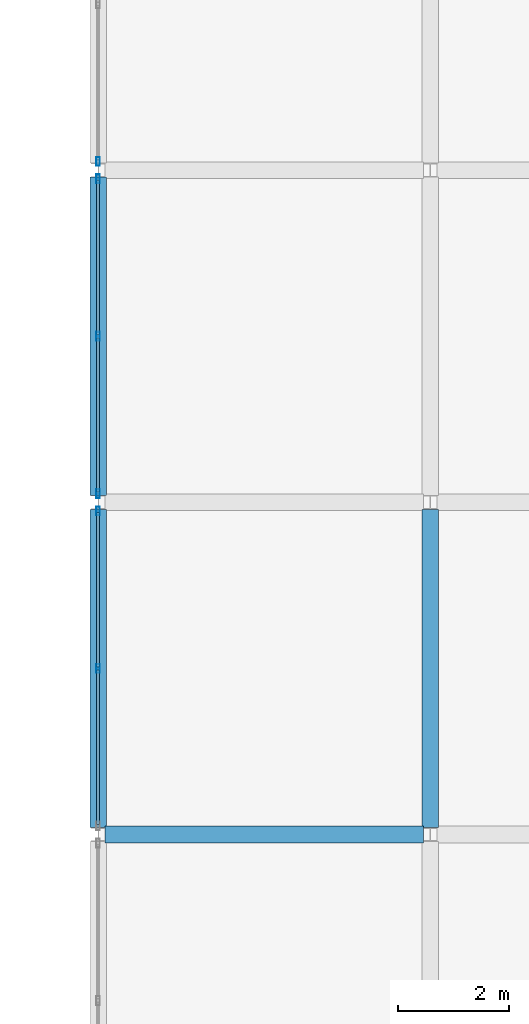
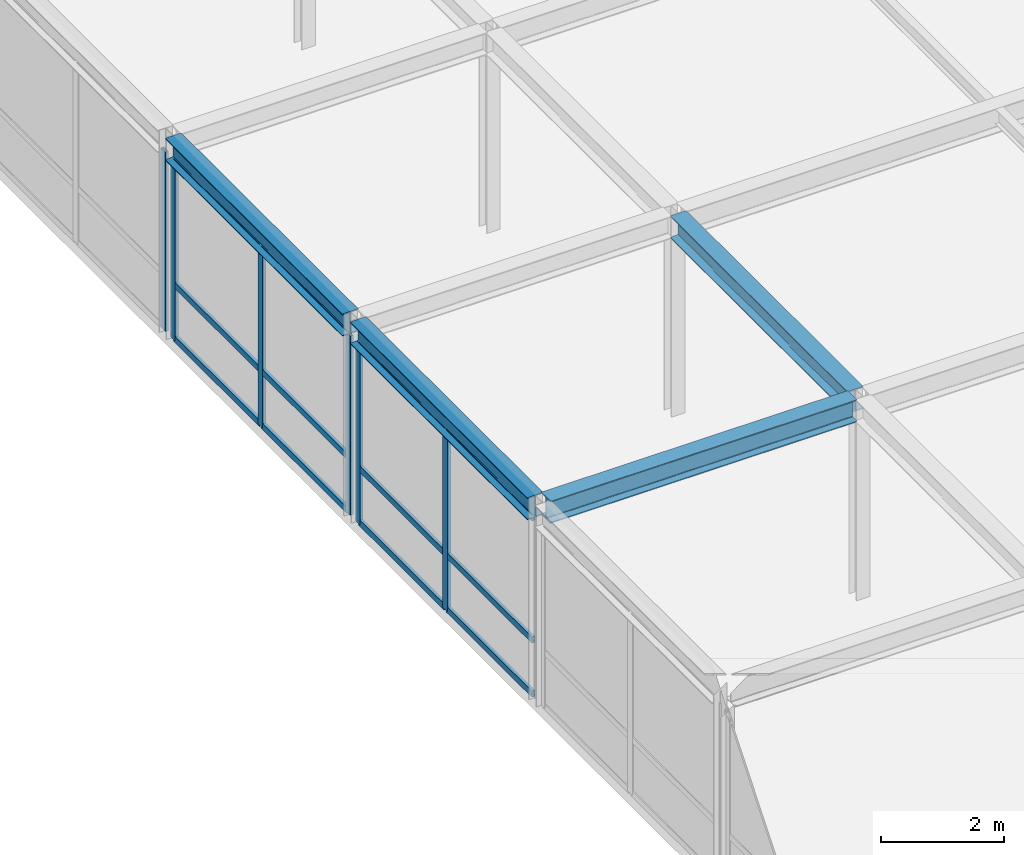
# One storey, part 88 of 111: 18 members, 4 beams, 3 elements without a shape of their own.
"""IFC4 building model written with IfcOpenShell, lengths in metres."""

from ifc_helpers import new_model, si_unit, direction, frame, origin, origin_2d, place, context, subcontext, project, spatial, hollow_rectangle, i_section, extrude, material, layer, layer_set, material_profile, profile_set, type_object, element, aggregate, save


model = new_model("IFC4")

# Units and contexts
model_context = context("Model", 3, precision=1e-05, world=origin(), true_north=direction((0.0, 1.0)))
body_context = subcontext(model_context, "Body", "Model", "MODEL_VIEW")
ifc_project = project(units=[si_unit("LENGTHUNIT", "METRE"), si_unit("AREAUNIT", "SQUARE_METRE"), si_unit("VOLUMEUNIT", "CUBIC_METRE"), si_unit("PLANEANGLEUNIT", "RADIAN"), si_unit("MASSUNIT", "GRAM", prefix="KILO")], contexts=[model_context])

# Site, building, storey
site_placement = place(None, origin())
site = spatial("IfcSite", under=ifc_project, at=site_placement, CompositionType="ELEMENT")
building_placement = place(site_placement, origin())
building = spatial("IfcBuilding", under=site, at=building_placement, Name="Zlatovratsky Civic Hall", CompositionType="ELEMENT")
storey_placement = place(building_placement, frame((0.0, 0.0, 16.5)))
storey = spatial("IfcBuildingStorey", under=building, at=storey_placement, Name="L04", CompositionType="ELEMENT", Elevation=16.5)

# Beams
ifc_material_1 = material(Name="Steel S355", Category="steel")
ifc_material_profile_1 = material_profile(ifc_material_1, i_section(OverallWidth=0.300048828125, OverallDepth=0.43994140625, WebThickness=0.010986328125, FlangeThickness=0.01806640625, FilletRadius=0.02197265625, at=origin_2d()), Name="45Sh1")
ifc_profile_set_1 = profile_set([ifc_material_profile_1], Name="Steel S355")
beam_type = type_object("IfcBeamType", Name="Beam_TowerLow_45Sh1", PredefinedType="BEAM", material=ifc_profile_set_1)
for number, where, z_axis, x_axis, name in (
    (1, (150.125, 42.0, 3.780029296875), (1.0, 0.0, 0.0), (0.0, 1.0, 0.0), "BM-3298"),
    (2, (150.0, 42.125, 3.780029296875), (0.0, 1.0, 0.0), (-1.0, 0.0, 0.0), "BM-3783"),
    (3, (150.0, 48.125, 3.780029296875), (0.0, 1.0, 0.0), (-1.0, 0.0, 0.0), "BM-3784"),
    (4, (156.0, 42.125, 3.780029296875), (0.0, 1.0, 0.0), (-1.0, 0.0, 0.0), "BM-3800"),
):
    element("IfcBeam", number, at=place(storey_placement, frame(where, z_axis=z_axis, x_axis=x_axis)), inside=storey, type_object=beam_type, Name=name, PredefinedType="BEAM", context=body_context, shape_type="SweptSolid", body=[
        extrude(i_section(OverallWidth=0.300048828125, OverallDepth=0.43994140625, WebThickness=0.010986328125, FlangeThickness=0.01806640625, FilletRadius=0.02197265625, at=origin_2d()), origin(), (0.0, 0.0, 1.0), 5.75),
    ])

# Curtain wall, members
ifc_material_2 = material(Name="Anodised bronze aluminium", Category="aluminium")
ifc_layer = layer(ifc_material_2, 0.159912109375)
ifc_layer_set = layer_set([ifc_layer], Name="Anodised bronze aluminium")
curtain_wall_type = type_object("IfcCurtainWallType", Name="CurtainWall_Bronze_5750x3550_18", PredefinedType="NOTDEFINED", material=ifc_layer_set)
curtain_wall_1_placement = place(storey_placement, origin())
curtain_wall_1 = element("IfcCurtainWall", 5, at=curtain_wall_1_placement, inside=storey, type_object=curtain_wall_type, Name="CW-125", PredefinedType="NOTDEFINED")
ifc_material_profile_2 = material_profile(ifc_material_2, hollow_rectangle(XDim=0.06005859375, YDim=0.159912109375, WallThickness=0.00390625, at=origin_2d()), Name="ALU 60x160x4")
ifc_profile_set_2 = profile_set([ifc_material_profile_2], Name="Anodised bronze aluminium")
member_type_1 = type_object("IfcMemberType", Name="CW_Mullion_60x160", PredefinedType="MULLION", material=ifc_profile_set_2)
member_1_placement = place(storey_placement, frame((150.0, 45.0, 0.0), z_axis=(0.0, 0.0, 1.0), x_axis=(-1.0, 0.0, 0.0)))
member_1 = element("IfcMember", 6, at=member_1_placement, type_object=member_type_1, Name="CW-18 mullion 2", PredefinedType="MULLION", context=body_context, shape_type="SweptSolid", body=[
    extrude(hollow_rectangle(XDim=0.06005859375, YDim=0.159912109375, WallThickness=0.00390625, at=origin_2d()), origin(), (0.0, 0.0, 1.0), 3.550048828125),
])
member_2_placement = place(storey_placement, frame((150.0, 47.844970703125, 0.0), z_axis=(0.0, 0.0, 1.0), x_axis=(-1.0, 0.0, 0.0)))
member_2 = element("IfcMember", 7, at=member_2_placement, type_object=member_type_1, Name="CW-18 mullion 3", PredefinedType="MULLION", context=body_context, shape_type="SweptSolid", body=[
    extrude(hollow_rectangle(XDim=0.06005859375, YDim=0.159912109375, WallThickness=0.00390625, at=origin_2d()), origin(), (0.0, 0.0, 1.0), 3.550048828125),
])

curtain_wall_2_placement = place(storey_placement, origin())
curtain_wall_2 = element("IfcCurtainWall", 8, at=curtain_wall_2_placement, inside=storey, type_object=curtain_wall_type, Name="CW-126", PredefinedType="NOTDEFINED")
member_3_placement = place(storey_placement, frame((150.0, 48.155029296875, 0.0), z_axis=(0.0, 0.0, 1.0), x_axis=(-1.0, 0.0, 0.0)))
member_3 = element("IfcMember", 9, at=member_3_placement, type_object=member_type_1, Name="CW-18 mullion 1", PredefinedType="MULLION", context=body_context, shape_type="SweptSolid", body=[
    extrude(hollow_rectangle(XDim=0.06005859375, YDim=0.159912109375, WallThickness=0.00390625, at=origin_2d()), origin(), (0.0, 0.0, 1.0), 3.550048828125),
])
member_4_placement = place(storey_placement, frame((150.0, 51.0, 0.0), z_axis=(0.0, 0.0, 1.0), x_axis=(-1.0, 0.0, 0.0)))
member_4 = element("IfcMember", 10, at=member_4_placement, type_object=member_type_1, Name="CW-18 mullion 2", PredefinedType="MULLION", context=body_context, shape_type="SweptSolid", body=[
    extrude(hollow_rectangle(XDim=0.06005859375, YDim=0.159912109375, WallThickness=0.00390625, at=origin_2d()), origin(), (0.0, 0.0, 1.0), 3.550048828125),
])
member_5_placement = place(storey_placement, frame((150.0, 53.844970703125, 0.0), z_axis=(0.0, 0.0, 1.0), x_axis=(-1.0, 0.0, 0.0)))
member_5 = element("IfcMember", 11, at=member_5_placement, type_object=member_type_1, Name="CW-18 mullion 3", PredefinedType="MULLION", context=body_context, shape_type="SweptSolid", body=[
    extrude(hollow_rectangle(XDim=0.06005859375, YDim=0.159912109375, WallThickness=0.00390625, at=origin_2d()), origin(), (0.0, 0.0, 1.0), 3.550048828125),
])

# Curtain wall, member
curtain_wall_3_placement = place(storey_placement, origin())
curtain_wall_3 = element("IfcCurtainWall", 12, at=curtain_wall_3_placement, inside=storey, type_object=curtain_wall_type, Name="CW-127", PredefinedType="NOTDEFINED")
member_6_placement = place(storey_placement, frame((150.0, 54.155029296875, 0.0), z_axis=(0.0, 0.0, 1.0), x_axis=(-1.0, 0.0, 0.0)))
member_6 = element("IfcMember", 13, at=member_6_placement, type_object=member_type_1, Name="CW-18 mullion 1", PredefinedType="MULLION", context=body_context, shape_type="SweptSolid", body=[
    extrude(hollow_rectangle(XDim=0.06005859375, YDim=0.159912109375, WallThickness=0.00390625, at=origin_2d()), origin(), (0.0, 0.0, 1.0), 3.550048828125),
])
aggregate(curtain_wall_3, [member_6])

# Member
ifc_material_profile_3 = material_profile(ifc_material_2, hollow_rectangle(XDim=0.06005859375, YDim=0.1201171875, WallThickness=0.00390625, at=origin_2d()), Name="ALU 60x120x4")
ifc_profile_set_3 = profile_set([ifc_material_profile_3], Name="Anodised bronze aluminium")
member_type_2 = type_object("IfcMemberType", Name="CW_Transom_60x120", PredefinedType="USERDEFINED", material=ifc_profile_set_3)
member_7_placement = place(storey_placement, frame((150.0, 42.18505859375, 0.030029296875), z_axis=(0.0, 1.0, 0.0), x_axis=(-1.0, 0.0, 0.0)))
member_7 = element("IfcMember", 14, at=member_7_placement, type_object=member_type_2, Name="CW-18 transom 1.1", ObjectType="TRANSOM", PredefinedType="USERDEFINED", context=body_context, shape_type="SweptSolid", body=[
    extrude(hollow_rectangle(XDim=0.06005859375, YDim=0.1201171875, WallThickness=0.00390625, at=origin_2d()), origin(), (0.0, 0.0, 1.0), 2.784912109375),
])

member_8_placement = place(storey_placement, frame((150.0, 42.18505859375, 1.10009765625), z_axis=(0.0, 1.0, 0.0), x_axis=(-1.0, 0.0, 0.0)))
member_8 = element("IfcMember", 15, at=member_8_placement, type_object=member_type_2, Name="CW-18 transom 1.2", ObjectType="TRANSOM", PredefinedType="USERDEFINED", context=body_context, shape_type="SweptSolid", body=[
    extrude(hollow_rectangle(XDim=0.06005859375, YDim=0.1201171875, WallThickness=0.00390625, at=origin_2d()), origin(), (0.0, 0.0, 1.0), 2.784912109375),
])

member_9_placement = place(storey_placement, frame((150.0, 42.18505859375, 3.52001953125), z_axis=(0.0, 1.0, 0.0), x_axis=(-1.0, 0.0, 0.0)))
member_9 = element("IfcMember", 16, at=member_9_placement, type_object=member_type_2, Name="CW-18 transom 1.3", ObjectType="TRANSOM", PredefinedType="USERDEFINED", context=body_context, shape_type="SweptSolid", body=[
    extrude(hollow_rectangle(XDim=0.06005859375, YDim=0.1201171875, WallThickness=0.00390625, at=origin_2d()), origin(), (0.0, 0.0, 1.0), 2.784912109375),
])

member_10_placement = place(storey_placement, frame((150.0, 45.030029296875, 0.030029296875), z_axis=(0.0, 1.0, 0.0), x_axis=(-1.0, 0.0, 0.0)))
member_10 = element("IfcMember", 17, at=member_10_placement, type_object=member_type_2, Name="CW-18 transom 2.1", ObjectType="TRANSOM", PredefinedType="USERDEFINED", context=body_context, shape_type="SweptSolid", body=[
    extrude(hollow_rectangle(XDim=0.06005859375, YDim=0.1201171875, WallThickness=0.00390625, at=origin_2d()), origin(), (0.0, 0.0, 1.0), 2.784912109375),
])

member_11_placement = place(storey_placement, frame((150.0, 45.030029296875, 1.10009765625), z_axis=(0.0, 1.0, 0.0), x_axis=(-1.0, 0.0, 0.0)))
member_11 = element("IfcMember", 18, at=member_11_placement, type_object=member_type_2, Name="CW-18 transom 2.2", ObjectType="TRANSOM", PredefinedType="USERDEFINED", context=body_context, shape_type="SweptSolid", body=[
    extrude(hollow_rectangle(XDim=0.06005859375, YDim=0.1201171875, WallThickness=0.00390625, at=origin_2d()), origin(), (0.0, 0.0, 1.0), 2.784912109375),
])

member_12_placement = place(storey_placement, frame((150.0, 45.030029296875, 3.52001953125), z_axis=(0.0, 1.0, 0.0), x_axis=(-1.0, 0.0, 0.0)))
member_12 = element("IfcMember", 19, at=member_12_placement, type_object=member_type_2, Name="CW-18 transom 2.3", ObjectType="TRANSOM", PredefinedType="USERDEFINED", context=body_context, shape_type="SweptSolid", body=[
    extrude(hollow_rectangle(XDim=0.06005859375, YDim=0.1201171875, WallThickness=0.00390625, at=origin_2d()), origin(), (0.0, 0.0, 1.0), 2.784912109375),
])

aggregate(curtain_wall_1, [member_1, member_2, member_7, member_8, member_9, member_10, member_11, member_12])

member_13_placement = place(storey_placement, frame((150.0, 48.18505859375, 0.030029296875), z_axis=(0.0, 1.0, 0.0), x_axis=(-1.0, 0.0, 0.0)))
member_13 = element("IfcMember", 20, at=member_13_placement, type_object=member_type_2, Name="CW-18 transom 1.1", ObjectType="TRANSOM", PredefinedType="USERDEFINED", context=body_context, shape_type="SweptSolid", body=[
    extrude(hollow_rectangle(XDim=0.06005859375, YDim=0.1201171875, WallThickness=0.00390625, at=origin_2d()), origin(), (0.0, 0.0, 1.0), 2.784912109375),
])

member_14_placement = place(storey_placement, frame((150.0, 48.18505859375, 1.10009765625), z_axis=(0.0, 1.0, 0.0), x_axis=(-1.0, 0.0, 0.0)))
member_14 = element("IfcMember", 21, at=member_14_placement, type_object=member_type_2, Name="CW-18 transom 1.2", ObjectType="TRANSOM", PredefinedType="USERDEFINED", context=body_context, shape_type="SweptSolid", body=[
    extrude(hollow_rectangle(XDim=0.06005859375, YDim=0.1201171875, WallThickness=0.00390625, at=origin_2d()), origin(), (0.0, 0.0, 1.0), 2.784912109375),
])

member_15_placement = place(storey_placement, frame((150.0, 48.18505859375, 3.52001953125), z_axis=(0.0, 1.0, 0.0), x_axis=(-1.0, 0.0, 0.0)))
member_15 = element("IfcMember", 22, at=member_15_placement, type_object=member_type_2, Name="CW-18 transom 1.3", ObjectType="TRANSOM", PredefinedType="USERDEFINED", context=body_context, shape_type="SweptSolid", body=[
    extrude(hollow_rectangle(XDim=0.06005859375, YDim=0.1201171875, WallThickness=0.00390625, at=origin_2d()), origin(), (0.0, 0.0, 1.0), 2.784912109375),
])

member_16_placement = place(storey_placement, frame((150.0, 51.030029296875, 0.030029296875), z_axis=(0.0, 1.0, 0.0), x_axis=(-1.0, 0.0, 0.0)))
member_16 = element("IfcMember", 23, at=member_16_placement, type_object=member_type_2, Name="CW-18 transom 2.1", ObjectType="TRANSOM", PredefinedType="USERDEFINED", context=body_context, shape_type="SweptSolid", body=[
    extrude(hollow_rectangle(XDim=0.06005859375, YDim=0.1201171875, WallThickness=0.00390625, at=origin_2d()), origin(), (0.0, 0.0, 1.0), 2.784912109375),
])

member_17_placement = place(storey_placement, frame((150.0, 51.030029296875, 1.10009765625), z_axis=(0.0, 1.0, 0.0), x_axis=(-1.0, 0.0, 0.0)))
member_17 = element("IfcMember", 24, at=member_17_placement, type_object=member_type_2, Name="CW-18 transom 2.2", ObjectType="TRANSOM", PredefinedType="USERDEFINED", context=body_context, shape_type="SweptSolid", body=[
    extrude(hollow_rectangle(XDim=0.06005859375, YDim=0.1201171875, WallThickness=0.00390625, at=origin_2d()), origin(), (0.0, 0.0, 1.0), 2.784912109375),
])

member_18_placement = place(storey_placement, frame((150.0, 51.030029296875, 3.52001953125), z_axis=(0.0, 1.0, 0.0), x_axis=(-1.0, 0.0, 0.0)))
member_18 = element("IfcMember", 25, at=member_18_placement, type_object=member_type_2, Name="CW-18 transom 2.3", ObjectType="TRANSOM", PredefinedType="USERDEFINED", context=body_context, shape_type="SweptSolid", body=[
    extrude(hollow_rectangle(XDim=0.06005859375, YDim=0.1201171875, WallThickness=0.00390625, at=origin_2d()), origin(), (0.0, 0.0, 1.0), 2.784912109375),
])

aggregate(curtain_wall_2, [member_3, member_4, member_5, member_13, member_14, member_15, member_16, member_17, member_18])

save(model, "model.ifc")
